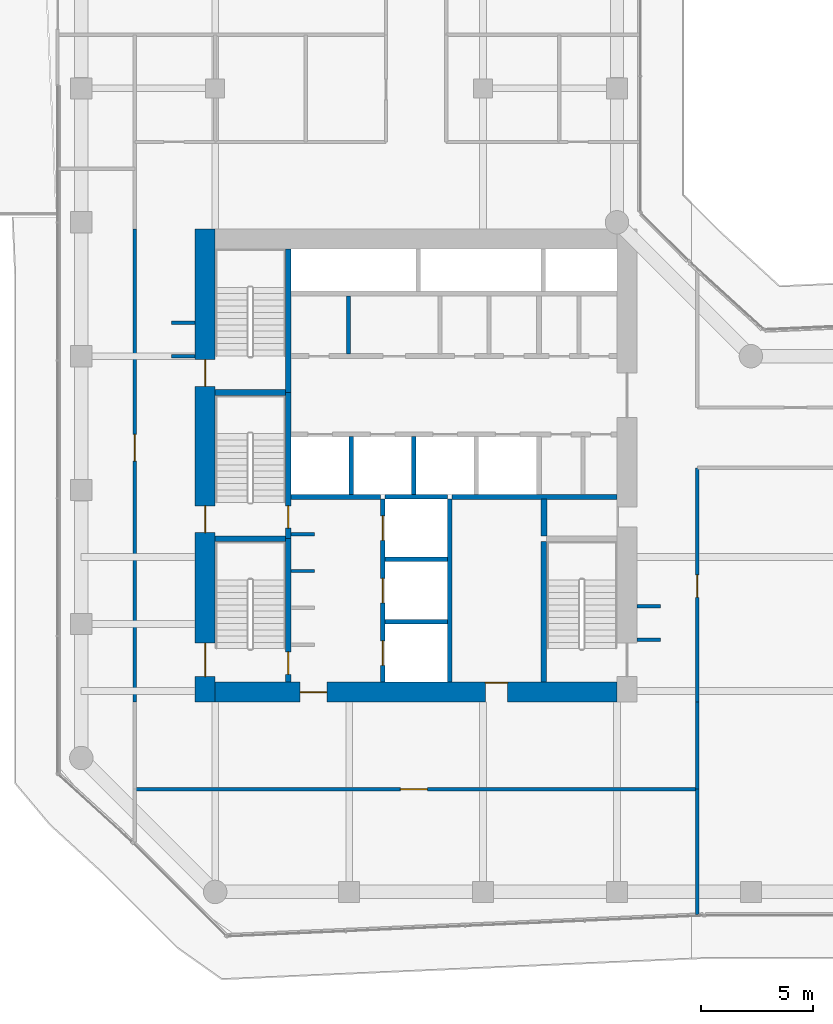
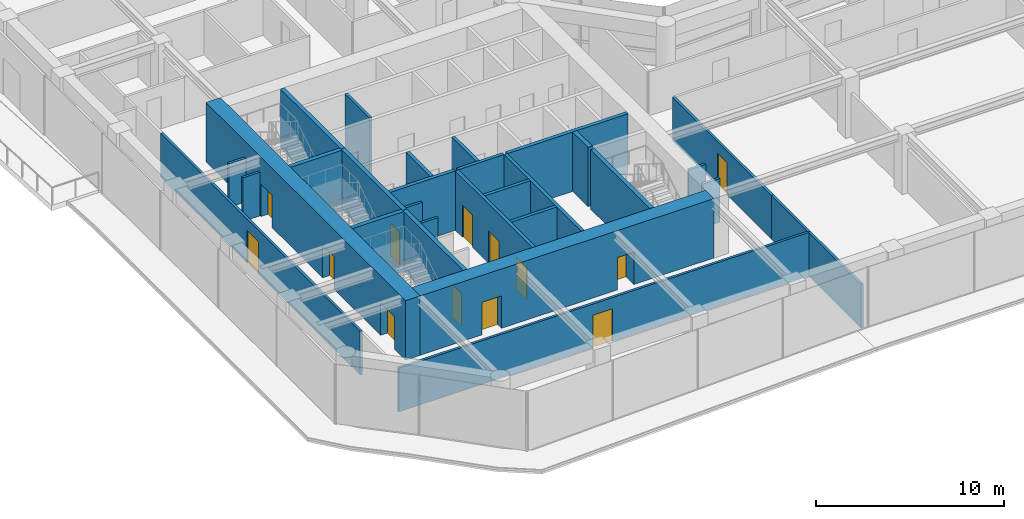
# One storey, part 23 of 29: 30 walls, 13 doors, 13 openings.
"""IFC4 building model written with IfcOpenShell, lengths in metres."""

from ifc_helpers import new_model, si_unit, direction, frame, frame_2d, origin, place, context, subcontext, project, spatial, rectangle, extrude, material, layer, layer_set, type_object, element, fill, save


model = new_model("IFC4")

# Units and contexts
model_context = context("Model", 3, precision=1e-05, world=origin(), true_north=direction((0.0, 1.0)))
body_context = subcontext(model_context, "Body", "Model", "MODEL_VIEW")
ifc_project = project(units=[si_unit("LENGTHUNIT", "METRE"), si_unit("AREAUNIT", "SQUARE_METRE"), si_unit("VOLUMEUNIT", "CUBIC_METRE"), si_unit("PLANEANGLEUNIT", "RADIAN"), si_unit("MASSUNIT", "GRAM", prefix="KILO")], contexts=[model_context])

# Site, building, storey
site_placement = place(None, origin())
site = spatial("IfcSite", under=ifc_project, at=site_placement, CompositionType="ELEMENT")
building_placement = place(site_placement, origin())
building = spatial("IfcBuilding", under=site, at=building_placement, Name="Welwitschia Terrace Campus", CompositionType="ELEMENT")
storey_placement = place(building_placement, frame((0.0, 0.0, 62.60009765625)))
storey = spatial("IfcBuildingStorey", under=building, at=storey_placement, Name="L14", CompositionType="ELEMENT", Elevation=62.60009765625)

# Walls
ifc_material_1 = material(Name="Concrete C32/40", Category="concrete")
ifc_layer_1 = layer(ifc_material_1, 0.175048828125)
ifc_layer_set_1 = layer_set([ifc_layer_1], Name="Concrete C32/40")
wall_type_1 = type_object("IfcWallType", Name="Core partition 175 Concrete C32/40", PredefinedType="PARTITIONING", material=ifc_layer_set_1)
wall_1_placement = place(storey_placement, frame((11.97509765625, 20.10009765625, 0.0), z_axis=(0.0, 0.0, 1.0), x_axis=(0.0, 1.0, 0.0)))
element("IfcWall", 1, at=wall_1_placement, inside=storey, type_object=wall_type_1, Name="Core partition", PredefinedType="PARTITIONING", context=body_context, shape_type="SweptSolid", body=[
    extrude(rectangle(XDim=2.599853515625, YDim=0.175048828125, at=frame_2d((1.2998046875, 0.0))), origin(), (0.0, 0.0, 1.0), 3.849853515625),
])
ifc_material_2 = material(Name="Concrete C32/40", Category="concrete")
ifc_layer_2 = layer(ifc_material_2, 0.22509765625)
ifc_layer_set_2 = layer_set([ifc_layer_2], Name="Concrete C32/40")
wall_type_2 = type_object("IfcWallType", Name="Core partition 225 Concrete C32/40", PredefinedType="PARTITIONING", material=ifc_layer_set_2)
wall_2_placement = place(storey_placement, frame((9.39990234375, 13.699951171875, 0.0), z_axis=(0.0, 0.0, 1.0), x_axis=(1.0, 0.0, 0.0)))
element("IfcWall", 2, at=wall_2_placement, inside=storey, type_object=wall_type_2, Name="Shaft wall", PredefinedType="PARTITIONING", context=body_context, shape_type="SweptSolid", body=[
    extrude(rectangle(XDim=4.0, YDim=0.22509765625, at=frame_2d((2.0, 0.0))), origin(), (0.0, 0.0, 1.0), 3.849853515625),
])
wall_3_placement = place(storey_placement, frame((16.60009765625, 13.699951171875, 0.0), z_axis=(0.0, 0.0, 1.0), x_axis=(1.0, 0.0, 0.0)))
element("IfcWall", 3, at=wall_3_placement, inside=storey, type_object=wall_type_2, Name="Shaft wall", PredefinedType="PARTITIONING", context=body_context, shape_type="SweptSolid", body=[
    extrude(rectangle(XDim=7.39990234375, YDim=0.22509765625, at=frame_2d((3.699951171875, 0.0))), origin(), (0.0, 0.0, 1.0), 3.849853515625),
])
ifc_material_3 = material(Name="Concrete C32/40", Category="concrete")
ifc_layer_3 = layer(ifc_material_3, 0.27490234375)
ifc_layer_set_3 = layer_set([ifc_layer_3], Name="Concrete C32/40")
wall_type_3 = type_object("IfcWallType", Name="Core partition 275 Concrete C32/40", PredefinedType="PARTITIONING", material=ifc_layer_set_3)
wall_4_placement = place(storey_placement, frame((20.72509765625, 11.949951171875, 0.0), z_axis=(0.0, 0.0, 1.0), x_axis=(0.0, 1.0, 0.0)))
element("IfcWall", 4, at=wall_4_placement, inside=storey, type_object=wall_type_3, Name="Core partition", PredefinedType="PARTITIONING", context=body_context, shape_type="SweptSolid", body=[
    extrude(rectangle(XDim=1.650146484375, YDim=0.27490234375, at=frame_2d((0.8251953125, 0.0))), origin(), (0.0, 0.0, 1.0), 3.849853515625),
])
ifc_material_4 = material(Name="Concrete C50/60", Category="concrete")
ifc_layer_4 = layer(ifc_material_4, 0.14990234375)
ifc_layer_set_4 = layer_set([ifc_layer_4], Name="Concrete C50/60")
wall_type_4 = type_object("IfcWallType", Name="Core wall 150 Concrete C50/60", PredefinedType="SHEAR", material=ifc_layer_set_4)
for number, where, z_axis, x_axis, name in (
    (5, (9.39990234375, 10.375, 0.0), (0.0, 0.0, 1.0), (1.0, 0.0, 0.0), "Core wall"),
    (6, (9.39990234375, 12.02490234375, 0.0), (0.0, 0.0, 1.0), (1.0, 0.0, 0.0), "Core wall"),
):
    element("IfcWall", number, at=place(storey_placement, frame(where, z_axis=z_axis, x_axis=x_axis)), inside=storey, type_object=wall_type_4, Name=name, PredefinedType="SHEAR", context=body_context, shape_type="SweptSolid", body=[
        extrude(rectangle(XDim=1.050048828125, YDim=0.14990234375, at=frame_2d((0.52490234375, 0.0))), origin(), (0.0, 0.0, 1.0), 3.849853515625),
    ])
ifc_material_5 = material(Name="Concrete C50/60", Category="concrete")
ifc_layer_5 = layer(ifc_material_5, 0.199951171875)
ifc_layer_set_5 = layer_set([ifc_layer_5], Name="Concrete C50/60")
wall_type_5 = type_object("IfcWallType", Name="Core wall 200 Concrete C50/60", PredefinedType="SHEAR", material=ifc_layer_set_5)
for number, where, z_axis, x_axis, name in (
    (7, (13.60009765625, 8.10009765625, 0.0), (0.0, 0.0, 1.0), (1.0, 0.0, 0.0), "Core wall"),
    (8, (13.60009765625, 10.89990234375, 0.0), (0.0, 0.0, 1.0), (1.0, 0.0, 0.0), "Core wall"),
    (9, (13.60009765625, 13.699951171875, 0.0), (0.0, 0.0, 1.0), (1.0, 0.0, 0.0), "Core wall"),
):
    element("IfcWall", number, at=place(storey_placement, frame(where, z_axis=z_axis, x_axis=x_axis)), inside=storey, type_object=wall_type_5, Name=name, PredefinedType="SHEAR", context=body_context, shape_type="SweptSolid", body=[
        extrude(rectangle(XDim=2.7998046875, YDim=0.199951171875, at=frame_2d((1.39990234375, 0.0))), origin(), (0.0, 0.0, 1.0), 3.849853515625),
    ])

# Wall, openings, doors
wall_5_placement = place(storey_placement, frame((13.5, 5.39990234375, 0.0), z_axis=(0.0, 0.0, 1.0), x_axis=(0.0, 1.0, 0.0)))
wall_5 = element("IfcWall", 10, at=wall_5_placement, inside=storey, type_object=wall_type_5, Name="Core wall", PredefinedType="SHEAR", context=body_context, shape_type="SweptSolid", body=[
    extrude(rectangle(XDim=8.2001953125, YDim=0.199951171875, at=frame_2d((4.10009765625, 0.0))), origin(), (0.0, 0.0, 1.0), 3.849853515625),
])
opening_1_placement = place(wall_5_placement, frame((0.75, 0.0, 0.0)))
opening_1 = element("IfcOpeningElement", 11, at=opening_1_placement, cuts=wall_5, Name="Opening LD", PredefinedType="OPENING", context=body_context, shape_type="SweptSolid", body=[
    extrude(rectangle(XDim=1.10009765625, YDim=2.10009765625, at=frame_2d((0.550048828125, 1.050048828125))), frame((0.0, 0.10986328125, 0.0), z_axis=(0.0, -1.0, 0.0), x_axis=(1.0, 0.0, 0.0)), (0.0, 0.0, 1.0), 0.219970703125),
])
opening_2_placement = place(wall_5_placement, frame((3.550048828125, 0.0, 0.0)))
opening_2 = element("IfcOpeningElement", 12, at=opening_2_placement, cuts=wall_5, Name="Opening LD", PredefinedType="OPENING", context=body_context, shape_type="SweptSolid", body=[
    extrude(rectangle(XDim=1.10009765625, YDim=2.10009765625, at=frame_2d((0.550048828125, 1.050048828125))), frame((0.0, 0.10986328125, 0.0), z_axis=(0.0, -1.0, 0.0), x_axis=(1.0, 0.0, 0.0)), (0.0, 0.0, 1.0), 0.219970703125),
])
opening_3_placement = place(wall_5_placement, frame((6.35009765625, 0.0, 0.0)))
opening_3 = element("IfcOpeningElement", 13, at=opening_3_placement, cuts=wall_5, Name="Opening LD", PredefinedType="OPENING", context=body_context, shape_type="SweptSolid", body=[
    extrude(rectangle(XDim=1.10009765625, YDim=2.10009765625, at=frame_2d((0.550048828125, 1.050048828125))), frame((0.0, 0.10986328125, 0.0), z_axis=(0.0, -1.0, 0.0), x_axis=(1.0, 0.0, 0.0)), (0.0, 0.0, 1.0), 0.219970703125),
])
ifc_material_6 = material(Name="Stainless steel 304", Category="steel")
door_type_1 = type_object("IfcDoorType", Name="Lift landing door", OperationType="DOUBLE_DOOR_SLIDING", PredefinedType="DOOR", material=ifc_material_6)
door_1_placement = place(opening_1_placement, origin())
door_1 = element("IfcDoor", 14, at=door_1_placement, inside=storey, type_object=door_type_1, Name="Landing door FF1", OperationType="DOUBLE_DOOR_SLIDING", OverallHeight=2.10009765625, OverallWidth=1.10009765625, PredefinedType="DOOR", context=body_context, shape_type="SweptSolid", body=[
    extrude(rectangle(XDim=1.10009765625, YDim=2.10009765625, at=frame_2d((0.550048828125, 1.050048828125))), frame((0.0, 0.02490234375, 0.0), z_axis=(0.0, -1.0, 0.0), x_axis=(1.0, 0.0, 0.0)), (0.0, 0.0, 1.0), 0.050048828125),
])
fill(opening_1, door_1)
door_2_placement = place(opening_2_placement, origin())
door_2 = element("IfcDoor", 15, at=door_2_placement, inside=storey, type_object=door_type_1, Name="Landing door FF2", OperationType="DOUBLE_DOOR_SLIDING", OverallHeight=2.10009765625, OverallWidth=1.10009765625, PredefinedType="DOOR", context=body_context, shape_type="SweptSolid", body=[
    extrude(rectangle(XDim=1.10009765625, YDim=2.10009765625, at=frame_2d((0.550048828125, 1.050048828125))), frame((0.0, 0.02490234375, 0.0), z_axis=(0.0, -1.0, 0.0), x_axis=(1.0, 0.0, 0.0)), (0.0, 0.0, 1.0), 0.050048828125),
])
fill(opening_2, door_2)
door_3_placement = place(opening_3_placement, origin())
door_3 = element("IfcDoor", 16, at=door_3_placement, inside=storey, type_object=door_type_1, Name="Landing door SV1", OperationType="DOUBLE_DOOR_SLIDING", OverallHeight=2.10009765625, OverallWidth=1.10009765625, PredefinedType="DOOR", context=body_context, shape_type="SweptSolid", body=[
    extrude(rectangle(XDim=1.10009765625, YDim=2.10009765625, at=frame_2d((0.550048828125, 1.050048828125))), frame((0.0, 0.02490234375, 0.0), z_axis=(0.0, -1.0, 0.0), x_axis=(1.0, 0.0, 0.0)), (0.0, 0.0, 1.0), 0.050048828125),
])
fill(opening_3, door_3)

# Walls
wall_6_placement = place(storey_placement, frame((16.5, 5.39990234375, 0.0), z_axis=(0.0, 0.0, 1.0), x_axis=(0.0, 1.0, 0.0)))
element("IfcWall", 17, at=wall_6_placement, inside=storey, type_object=wall_type_5, Name="Core wall", PredefinedType="SHEAR", context=body_context, shape_type="SweptSolid", body=[
    extrude(rectangle(XDim=8.2001953125, YDim=0.199951171875, at=frame_2d((4.10009765625, 0.0))), origin(), (0.0, 0.0, 1.0), 3.849853515625),
])
ifc_material_7 = material(Name="Concrete C50/60", Category="concrete")
ifc_layer_6 = layer(ifc_material_7, 0.25)
ifc_layer_set_6 = layer_set([ifc_layer_6], Name="Concrete C50/60")
wall_type_6 = type_object("IfcWallType", Name="Core wall 250 Concrete C50/60", PredefinedType="SHEAR", material=ifc_layer_set_6)
for number, where, z_axis, x_axis, name in (
    (18, (6.0, 11.824951171875, 0.0), (0.0, 0.0, 1.0), (1.0, 0.0, 0.0), "Core wall"),
    (19, (6.0, 18.375, 0.0), (0.0, 0.0, 1.0), (1.0, 0.0, 0.0), "Core wall"),
):
    element("IfcWall", number, at=place(storey_placement, frame(where, z_axis=z_axis, x_axis=x_axis)), inside=storey, type_object=wall_type_6, Name=name, PredefinedType="SHEAR", context=body_context, shape_type="SweptSolid", body=[
        extrude(rectangle(XDim=3.14990234375, YDim=0.25, at=frame_2d((1.574951171875, 0.0))), origin(), (0.0, 0.0, 1.0), 3.849853515625),
    ])

# Wall, opening, door
wall_7_placement = place(storey_placement, frame((9.27490234375, 11.824951171875, 0.0), z_axis=(0.0, 0.0, 1.0), x_axis=(0.0, -1.0, 0.0)))
wall_7 = element("IfcWall", 20, at=wall_7_placement, inside=storey, type_object=wall_type_6, Name="Core wall", PredefinedType="SHEAR", context=body_context, shape_type="SweptSolid", body=[
    extrude(rectangle(XDim=6.425048828125, YDim=0.25, at=frame_2d((3.21240234375, 0.0))), origin(), (0.0, 0.0, 1.0), 3.849853515625),
])
opening_4_placement = place(wall_7_placement, frame((5.074951171875, 0.0, 0.0)))
opening_4 = element("IfcOpeningElement", 21, at=opening_4_placement, cuts=wall_7, Name="Opening DS10", PredefinedType="OPENING", context=body_context, shape_type="SweptSolid", body=[
    extrude(rectangle(XDim=1.0, YDim=2.10009765625, at=frame_2d((0.5, 1.050048828125))), frame((0.0, 0.135009765625, 0.0), z_axis=(0.0, -1.0, 0.0), x_axis=(1.0, 0.0, 0.0)), (0.0, 0.0, 1.0), 0.27001953125),
])
ifc_material_8 = material(Name="Steel S275", Category="steel")
door_type_2 = type_object("IfcDoorType", Name="Core door DS10", OperationType="SINGLE_SWING_LEFT", PredefinedType="DOOR", material=ifc_material_8)
door_4_placement = place(opening_4_placement, origin())
door_4 = element("IfcDoor", 22, at=door_4_placement, inside=storey, type_object=door_type_2, Name="Door S1-FL", OperationType="SINGLE_SWING_RIGHT", OverallHeight=2.10009765625, OverallWidth=1.0, PredefinedType="DOOR", context=body_context, shape_type="SweptSolid", body=[
    extrude(rectangle(XDim=1.0, YDim=2.10009765625, at=frame_2d((0.5, 1.050048828125))), frame((0.0, 0.02490234375, 0.0), z_axis=(0.0, -1.0, 0.0), x_axis=(1.0, 0.0, 0.0)), (0.0, 0.0, 1.0), 0.050048828125),
])
fill(opening_4, door_4)

wall_8_placement = place(storey_placement, frame((9.27490234375, 18.375, 0.0), z_axis=(0.0, 0.0, 1.0), x_axis=(0.0, -1.0, 0.0)))
wall_8 = element("IfcWall", 23, at=wall_8_placement, inside=storey, type_object=wall_type_6, Name="Core wall", PredefinedType="SHEAR", context=body_context, shape_type="SweptSolid", body=[
    extrude(rectangle(XDim=6.550048828125, YDim=0.25, at=frame_2d((3.27490234375, 0.0))), origin(), (0.0, 0.0, 1.0), 3.849853515625),
])
opening_5_placement = place(wall_8_placement, frame((5.074951171875, 0.0, 0.0)))
opening_5 = element("IfcOpeningElement", 24, at=opening_5_placement, cuts=wall_8, Name="Opening DS10", PredefinedType="OPENING", context=body_context, shape_type="SweptSolid", body=[
    extrude(rectangle(XDim=1.0, YDim=2.10009765625, at=frame_2d((0.5, 1.050048828125))), frame((0.0, 0.135009765625, 0.0), z_axis=(0.0, -1.0, 0.0), x_axis=(1.0, 0.0, 0.0)), (0.0, 0.0, 1.0), 0.27001953125),
])
door_5_placement = place(opening_5_placement, origin())
door_5 = element("IfcDoor", 25, at=door_5_placement, inside=storey, type_object=door_type_2, Name="Door S3-FL", OperationType="SINGLE_SWING_RIGHT", OverallHeight=2.10009765625, OverallWidth=1.0, PredefinedType="DOOR", context=body_context, shape_type="SweptSolid", body=[
    extrude(rectangle(XDim=1.0, YDim=2.10009765625, at=frame_2d((0.5, 1.050048828125))), frame((0.0, 0.02490234375, 0.0), z_axis=(0.0, -1.0, 0.0), x_axis=(1.0, 0.0, 0.0)), (0.0, 0.0, 1.0), 0.050048828125),
])
fill(opening_5, door_5)

# Walls
wall_9_placement = place(storey_placement, frame((9.27490234375, 18.375, 0.0), z_axis=(0.0, 0.0, 1.0), x_axis=(0.0, 1.0, 0.0)))
element("IfcWall", 26, at=wall_9_placement, inside=storey, type_object=wall_type_6, Name="Core wall", PredefinedType="SHEAR", context=body_context, shape_type="SweptSolid", body=[
    extrude(rectangle(XDim=6.425048828125, YDim=0.25, at=frame_2d((3.21240234375, 0.0))), origin(), (0.0, 0.0, 1.0), 3.849853515625),
])
wall_10_placement = place(storey_placement, frame((20.72509765625, 5.39990234375, 0.0), z_axis=(0.0, 0.0, 1.0), x_axis=(0.0, 1.0, 0.0)))
element("IfcWall", 27, at=wall_10_placement, inside=storey, type_object=wall_type_6, Name="Core wall", PredefinedType="SHEAR", context=body_context, shape_type="SweptSolid", body=[
    extrude(rectangle(XDim=6.300048828125, YDim=0.25, at=frame_2d((3.14990234375, 0.0))), origin(), (0.0, 0.0, 1.0), 3.849853515625),
])

# Wall, openings, doors
ifc_material_9 = material(Name="Concrete C70/85", Category="concrete")
ifc_layer_7 = layer(ifc_material_9, 0.89990234375)
ifc_layer_set_7 = layer_set([ifc_layer_7], Name="Concrete C70/85")
wall_type_7 = type_object("IfcWallType", Name="Core wall 900 Concrete C70/85", PredefinedType="SHEAR", material=ifc_layer_set_7)
wall_11_placement = place(storey_placement, frame((5.550048828125, 4.5, 0.0), z_axis=(0.0, 0.0, 1.0), x_axis=(0.0, 1.0, 0.0)))
wall_11 = element("IfcWall", 28, at=wall_11_placement, inside=storey, type_object=wall_type_7, Name="Core outer wall", PredefinedType="SHEAR", context=body_context, shape_type="SweptSolid", body=[
    extrude(rectangle(XDim=21.199951171875, YDim=0.89990234375, at=frame_2d((10.60009765625, 0.0))), origin(), (0.0, 0.0, 1.0), 3.849853515625),
])
opening_6_placement = place(wall_11_placement, frame((1.14990234375, 0.0, 0.0)))
opening_6 = element("IfcOpeningElement", 29, at=opening_6_placement, cuts=wall_11, Name="Opening DS15", PredefinedType="OPENING", context=body_context, shape_type="SweptSolid", body=[
    extrude(rectangle(XDim=1.5, YDim=2.10009765625, at=frame_2d((0.75, 1.050048828125))), frame((0.0, 0.4599609375, 0.0), z_axis=(0.0, -1.0, 0.0), x_axis=(1.0, 0.0, 0.0)), (0.0, 0.0, 1.0), 0.919921875),
])
opening_7_placement = place(wall_11_placement, frame((7.60009765625, 0.0, 0.0)))
opening_7 = element("IfcOpeningElement", 30, at=opening_7_placement, cuts=wall_11, Name="Opening DS12", PredefinedType="OPENING", context=body_context, shape_type="SweptSolid", body=[
    extrude(rectangle(XDim=1.199951171875, YDim=2.10009765625, at=frame_2d((0.60009765625, 1.050048828125))), frame((0.0, 0.4599609375, 0.0), z_axis=(0.0, -1.0, 0.0), x_axis=(1.0, 0.0, 0.0)), (0.0, 0.0, 1.0), 0.919921875),
])
opening_8_placement = place(wall_11_placement, frame((14.14990234375, 0.0, 0.0)))
opening_8 = element("IfcOpeningElement", 31, at=opening_8_placement, cuts=wall_11, Name="Opening DS12", PredefinedType="OPENING", context=body_context, shape_type="SweptSolid", body=[
    extrude(rectangle(XDim=1.199951171875, YDim=2.10009765625, at=frame_2d((0.60009765625, 1.050048828125))), frame((0.0, 0.4599609375, 0.0), z_axis=(0.0, -1.0, 0.0), x_axis=(1.0, 0.0, 0.0)), (0.0, 0.0, 1.0), 0.919921875),
])
ifc_material_10 = material(Name="Steel S275", Category="steel")
door_type_3 = type_object("IfcDoorType", Name="Core door DS12", OperationType="SINGLE_SWING_LEFT", PredefinedType="DOOR", material=ifc_material_10)
door_6_placement = place(opening_7_placement, origin())
door_6 = element("IfcDoor", 32, at=door_6_placement, inside=storey, type_object=door_type_3, Name="Door S3-out", OperationType="SINGLE_SWING_LEFT", OverallHeight=2.10009765625, OverallWidth=1.199951171875, PredefinedType="DOOR", context=body_context, shape_type="SweptSolid", body=[
    extrude(rectangle(XDim=1.199951171875, YDim=2.10009765625, at=frame_2d((0.60009765625, 1.050048828125))), frame((0.0, 0.02490234375, 0.0), z_axis=(0.0, -1.0, 0.0), x_axis=(1.0, 0.0, 0.0)), (0.0, 0.0, 1.0), 0.050048828125),
])
fill(opening_7, door_6)
door_7_placement = place(opening_8_placement, origin())
door_7 = element("IfcDoor", 33, at=door_7_placement, inside=storey, type_object=door_type_3, Name="Door S4-out", OperationType="SINGLE_SWING_RIGHT", OverallHeight=2.10009765625, OverallWidth=1.199951171875, PredefinedType="DOOR", context=body_context, shape_type="SweptSolid", body=[
    extrude(rectangle(XDim=1.199951171875, YDim=2.10009765625, at=frame_2d((0.60009765625, 1.050048828125))), frame((0.0, 0.02490234375, 0.0), z_axis=(0.0, -1.0, 0.0), x_axis=(1.0, 0.0, 0.0)), (0.0, 0.0, 1.0), 0.050048828125),
])
fill(opening_8, door_7)
ifc_material_11 = material(Name="Steel S275", Category="steel")
door_type_4 = type_object("IfcDoorType", Name="Core door DS15", OperationType="DOUBLE_DOOR_SINGLE_SWING", PredefinedType="DOOR", material=ifc_material_11)
door_8_placement = place(opening_6_placement, origin())
door_8 = element("IfcDoor", 34, at=door_8_placement, inside=storey, type_object=door_type_4, Name="Door S1-out", OperationType="DOUBLE_DOOR_SINGLE_SWING", OverallHeight=2.10009765625, OverallWidth=1.5, PredefinedType="DOOR", context=body_context, shape_type="SweptSolid", body=[
    extrude(rectangle(XDim=1.5, YDim=2.10009765625, at=frame_2d((0.75, 1.050048828125))), frame((0.0, 0.02490234375, 0.0), z_axis=(0.0, -1.0, 0.0), x_axis=(1.0, 0.0, 0.0)), (0.0, 0.0, 1.0), 0.050048828125),
])
fill(opening_6, door_8)

wall_12_placement = place(storey_placement, frame((24.0, 4.949951171875, 0.0), z_axis=(0.0, 0.0, 1.0), x_axis=(-1.0, 0.0, 0.0)))
wall_12 = element("IfcWall", 35, at=wall_12_placement, inside=storey, type_object=wall_type_7, Name="Core outer wall", PredefinedType="SHEAR", context=body_context, shape_type="SweptSolid", body=[
    extrude(rectangle(XDim=18.0, YDim=0.89990234375, at=frame_2d((9.0, 0.0))), origin(), (0.0, 0.0, 1.0), 3.849853515625),
])
opening_9_placement = place(wall_12_placement, frame((13.0, 0.0, 0.0)))
opening_9 = element("IfcOpeningElement", 36, at=opening_9_placement, cuts=wall_12, Name="Opening DF12", PredefinedType="OPENING", context=body_context, shape_type="SweptSolid", body=[
    extrude(rectangle(XDim=1.199951171875, YDim=2.10009765625, at=frame_2d((0.60009765625, 1.050048828125))), frame((0.0, 0.4599609375, 0.0), z_axis=(0.0, -1.0, 0.0), x_axis=(1.0, 0.0, 0.0)), (0.0, 0.0, 1.0), 0.919921875),
])
opening_10_placement = place(wall_12_placement, frame((4.89990234375, 0.0, 0.0)))
opening_10 = element("IfcOpeningElement", 37, at=opening_10_placement, cuts=wall_12, Name="Opening DR10", PredefinedType="OPENING", context=body_context, shape_type="SweptSolid", body=[
    extrude(rectangle(XDim=1.0, YDim=2.10009765625, at=frame_2d((0.5, 1.050048828125))), frame((0.0, 0.4599609375, 0.0), z_axis=(0.0, -1.0, 0.0), x_axis=(1.0, 0.0, 0.0)), (0.0, 0.0, 1.0), 0.919921875),
])
ifc_material_12 = material(Name="Steel S275", Category="steel")
door_type_5 = type_object("IfcDoorType", Name="Core door DF12", OperationType="SINGLE_SWING_LEFT", PredefinedType="DOOR", material=ifc_material_12)
door_9_placement = place(opening_9_placement, origin())
door_9 = element("IfcDoor", 38, at=door_9_placement, inside=storey, type_object=door_type_5, Name="Door FL-out", OperationType="SINGLE_SWING_RIGHT", OverallHeight=2.10009765625, OverallWidth=1.199951171875, PredefinedType="DOOR", context=body_context, shape_type="SweptSolid", body=[
    extrude(rectangle(XDim=1.199951171875, YDim=2.10009765625, at=frame_2d((0.60009765625, 1.050048828125))), frame((0.0, 0.02490234375, 0.0), z_axis=(0.0, -1.0, 0.0), x_axis=(1.0, 0.0, 0.0)), (0.0, 0.0, 1.0), 0.050048828125),
])
fill(opening_9, door_9)
ifc_material_13 = material(Name="Steel S275", Category="steel")
door_type_6 = type_object("IfcDoorType", Name="Core door DR10", OperationType="SINGLE_SWING_LEFT", PredefinedType="DOOR", material=ifc_material_13)
door_10_placement = place(opening_10_placement, origin())
door_10 = element("IfcDoor", 39, at=door_10_placement, inside=storey, type_object=door_type_6, Name="Door F1-out", OperationType="SINGLE_SWING_LEFT", OverallHeight=2.10009765625, OverallWidth=1.0, PredefinedType="DOOR", context=body_context, shape_type="SweptSolid", body=[
    extrude(rectangle(XDim=1.0, YDim=2.10009765625, at=frame_2d((0.5, 1.050048828125))), frame((0.0, -0.39013671875, 0.0), z_axis=(0.0, -1.0, 0.0), x_axis=(1.0, 0.0, 0.0)), (0.0, 0.0, 1.0), 0.050048828125),
])
fill(opening_10, door_10)

# Wall, opening, door
ifc_material_14 = material(Name="Gypsum board on steel studs", Category="steel")
ifc_layer_8 = layer(ifc_material_14, 0.14990234375)
ifc_layer_set_8 = layer_set([ifc_layer_8], Name="Gypsum board on steel studs")
wall_type_8 = type_object("IfcWallType", Name="Corridor partition 150 EI 30", PredefinedType="PARTITIONING", material=ifc_layer_set_8)
wall_13_placement = place(storey_placement, frame((2.39990234375, 4.5, 0.0), z_axis=(0.0, 0.0, 1.0), x_axis=(0.0, 1.0, 0.0)))
wall_13 = element("IfcWall", 40, at=wall_13_placement, inside=storey, type_object=wall_type_8, Name="Partition", PredefinedType="PARTITIONING", context=body_context, shape_type="SweptSolid", body=[
    extrude(rectangle(XDim=21.199951171875, YDim=0.14990234375, at=frame_2d((10.60009765625, 0.0))), origin(), (0.0, 0.0, 1.0), 2.829833984375),
])
opening_11_placement = place(wall_13_placement, frame((10.800048828125, 0.0, 0.0)))
opening_11 = element("IfcOpeningElement", 41, at=opening_11_placement, cuts=wall_13, Name="Opening DI12", PredefinedType="OPENING", context=body_context, shape_type="SweptSolid", body=[
    extrude(rectangle(XDim=1.199951171875, YDim=2.10009765625, at=frame_2d((0.60009765625, 1.050048828125))), frame((0.0, 0.0849609375, 0.0), z_axis=(0.0, -1.0, 0.0), x_axis=(1.0, 0.0, 0.0)), (0.0, 0.0, 1.0), 0.169921875),
])
ifc_material_15 = material(Name="Timber veneered door", Category="wood")
door_type_7 = type_object("IfcDoorType", Name="Interior door DI12", OperationType="NOTDEFINED", PredefinedType="DOOR", material=ifc_material_15)
door_11_placement = place(opening_11_placement, origin())
door_11 = element("IfcDoor", 42, at=door_11_placement, inside=storey, type_object=door_type_7, Name="Door L14 313", OperationType="SINGLE_SWING_RIGHT", OverallHeight=2.10009765625, OverallWidth=1.199951171875, PredefinedType="DOOR", context=body_context, shape_type="SweptSolid", body=[
    extrude(rectangle(XDim=1.199951171875, YDim=2.10009765625, at=frame_2d((0.60009765625, 1.050048828125))), frame((0.0, 0.02490234375, 0.0), z_axis=(0.0, -1.0, 0.0), x_axis=(1.0, 0.0, 0.0)), (0.0, 0.0, 1.0), 0.050048828125),
])
fill(opening_11, door_11)

# Walls
for number, where, z_axis, x_axis, name in (
    (43, (4.050048828125, 20.0, 0.0), (0.0, 0.0, 1.0), (1.0, 0.0, 0.0), "Partition"),
    (44, (4.050048828125, 21.5, 0.0), (0.0, 0.0, 1.0), (1.0, 0.0, 0.0), "Partition"),
    (45, (24.89990234375, 7.300048828125, 0.0), (0.0, 0.0, 1.0), (1.0, 0.0, 0.0), "Partition"),
    (46, (24.89990234375, 8.800048828125, 0.0), (0.0, 0.0, 1.0), (1.0, 0.0, 0.0), "Partition"),
):
    element("IfcWall", number, at=place(storey_placement, frame(where, z_axis=z_axis, x_axis=x_axis)), inside=storey, type_object=wall_type_8, Name=name, PredefinedType="PARTITIONING", context=body_context, shape_type="SweptSolid", body=[
        extrude(rectangle(XDim=1.050048828125, YDim=0.14990234375, at=frame_2d((0.52490234375, 0.0))), origin(), (0.0, 0.0, 1.0), 2.829833984375),
    ])
wall_14_placement = place(storey_placement, frame((27.60009765625, -5.02001953125, 0.0), z_axis=(0.0, 0.0, 1.0), x_axis=(0.0, 1.0, 0.0)))
element("IfcWall", 47, at=wall_14_placement, inside=storey, type_object=wall_type_8, Name="Partition", PredefinedType="PARTITIONING", context=body_context, shape_type="SweptSolid", body=[
    extrude(rectangle(XDim=5.6201171875, YDim=0.14990234375, at=frame_2d((2.81005859375, 0.0))), origin(), (0.0, 0.0, 1.0), 2.829833984375),
])

# Wall, opening, door
wall_15_placement = place(storey_placement, frame((27.60009765625, 0.60009765625, 0.0), z_axis=(0.0, 0.0, 1.0), x_axis=(-1.0, 0.0, 0.0)))
wall_15 = element("IfcWall", 48, at=wall_15_placement, inside=storey, type_object=wall_type_8, Name="Partition", PredefinedType="PARTITIONING", context=body_context, shape_type="SweptSolid", body=[
    extrude(rectangle(XDim=25.2001953125, YDim=0.14990234375, at=frame_2d((12.60009765625, 0.0))), origin(), (0.0, 0.0, 1.0), 2.829833984375),
])
opening_12_placement = place(wall_15_placement, frame((12.10009765625, 0.0, 0.0)))
opening_12 = element("IfcOpeningElement", 49, at=opening_12_placement, cuts=wall_15, Name="Opening DI12", PredefinedType="OPENING", context=body_context, shape_type="SweptSolid", body=[
    extrude(rectangle(XDim=1.199951171875, YDim=2.10009765625, at=frame_2d((0.60009765625, 1.050048828125))), frame((0.0, 0.0849609375, 0.0), z_axis=(0.0, -1.0, 0.0), x_axis=(1.0, 0.0, 0.0)), (0.0, 0.0, 1.0), 0.169921875),
])
door_12_placement = place(opening_12_placement, origin())
door_12 = element("IfcDoor", 50, at=door_12_placement, inside=storey, type_object=door_type_7, Name="Door L14 324", OperationType="SINGLE_SWING_LEFT", OverallHeight=2.10009765625, OverallWidth=1.199951171875, PredefinedType="DOOR", context=body_context, shape_type="SweptSolid", body=[
    extrude(rectangle(XDim=1.199951171875, YDim=2.10009765625, at=frame_2d((0.60009765625, 1.050048828125))), frame((0.0, 0.02490234375, 0.0), z_axis=(0.0, -1.0, 0.0), x_axis=(1.0, 0.0, 0.0)), (0.0, 0.0, 1.0), 0.050048828125),
])
fill(opening_12, door_12)

# Wall
wall_16_placement = place(storey_placement, frame((27.60009765625, 0.60009765625, 0.0), z_axis=(0.0, 0.0, 1.0), x_axis=(0.0, 1.0, 0.0)))
element("IfcWall", 51, at=wall_16_placement, inside=storey, type_object=wall_type_8, Name="Partition", PredefinedType="PARTITIONING", context=body_context, shape_type="SweptSolid", body=[
    extrude(rectangle(XDim=3.89990234375, YDim=0.14990234375, at=frame_2d((1.949951171875, 0.0))), origin(), (0.0, 0.0, 1.0), 2.829833984375),
])

# Wall, opening, door
wall_17_placement = place(storey_placement, frame((27.60009765625, 15.0, 0.0), z_axis=(0.0, 0.0, 1.0), x_axis=(0.0, -1.0, 0.0)))
wall_17 = element("IfcWall", 52, at=wall_17_placement, inside=storey, type_object=wall_type_8, Name="Partition", PredefinedType="PARTITIONING", context=body_context, shape_type="SweptSolid", body=[
    extrude(rectangle(XDim=10.5, YDim=0.14990234375, at=frame_2d((5.25, 0.0))), origin(), (0.0, 0.0, 1.0), 2.829833984375),
])
opening_13_placement = place(wall_17_placement, frame((4.800048828125, 0.0, 0.0)))
opening_13 = element("IfcOpeningElement", 53, at=opening_13_placement, cuts=wall_17, Name="Opening DI10", PredefinedType="OPENING", context=body_context, shape_type="SweptSolid", body=[
    extrude(rectangle(XDim=1.0, YDim=2.10009765625, at=frame_2d((0.5, 1.050048828125))), frame((0.0, 0.0849609375, 0.0), z_axis=(0.0, -1.0, 0.0), x_axis=(1.0, 0.0, 0.0)), (0.0, 0.0, 1.0), 0.169921875),
])
ifc_material_16 = material(Name="Timber veneered door", Category="wood")
door_type_8 = type_object("IfcDoorType", Name="Interior door DI10", OperationType="NOTDEFINED", PredefinedType="DOOR", material=ifc_material_16)
door_13_placement = place(opening_13_placement, origin())
door_13 = element("IfcDoor", 54, at=door_13_placement, inside=storey, type_object=door_type_8, Name="Door L14 325", OperationType="SINGLE_SWING_RIGHT", OverallHeight=2.10009765625, OverallWidth=1.0, PredefinedType="DOOR", context=body_context, shape_type="SweptSolid", body=[
    extrude(rectangle(XDim=1.0, YDim=2.10009765625, at=frame_2d((0.5, 1.050048828125))), frame((0.0, 0.02490234375, 0.0), z_axis=(0.0, -1.0, 0.0), x_axis=(1.0, 0.0, 0.0)), (0.0, 0.0, 1.0), 0.050048828125),
])
fill(opening_13, door_13)

# Walls
ifc_material_17 = material(Name="Concrete C32/40", Category="concrete")
ifc_layer_9 = layer(ifc_material_17, 0.199951171875)
ifc_layer_set_9 = layer_set([ifc_layer_9], Name="Concrete C32/40")
wall_type_9 = type_object("IfcWallType", Name="Shaft wall 200 Concrete C32/40", PredefinedType="SOLIDWALL", material=ifc_layer_set_9)
for number, where, z_axis, x_axis, name in (
    (55, (12.10009765625, 13.800048828125, 0.0), (0.0, 0.0, 1.0), (0.0, 1.0, 0.0), "Shaft wall"),
    (56, (14.89990234375, 13.800048828125, 0.0), (0.0, 0.0, 1.0), (0.0, 1.0, 0.0), "Shaft wall"),
):
    element("IfcWall", number, at=place(storey_placement, frame(where, z_axis=z_axis, x_axis=x_axis)), inside=storey, type_object=wall_type_9, Name=name, PredefinedType="SOLIDWALL", context=body_context, shape_type="SweptSolid", body=[
        extrude(rectangle(XDim=2.599853515625, YDim=0.199951171875, at=frame_2d((1.2998046875, 0.0))), origin(), (0.0, 0.0, 1.0), 3.849853515625),
    ])

save(model, "model.ifc")
